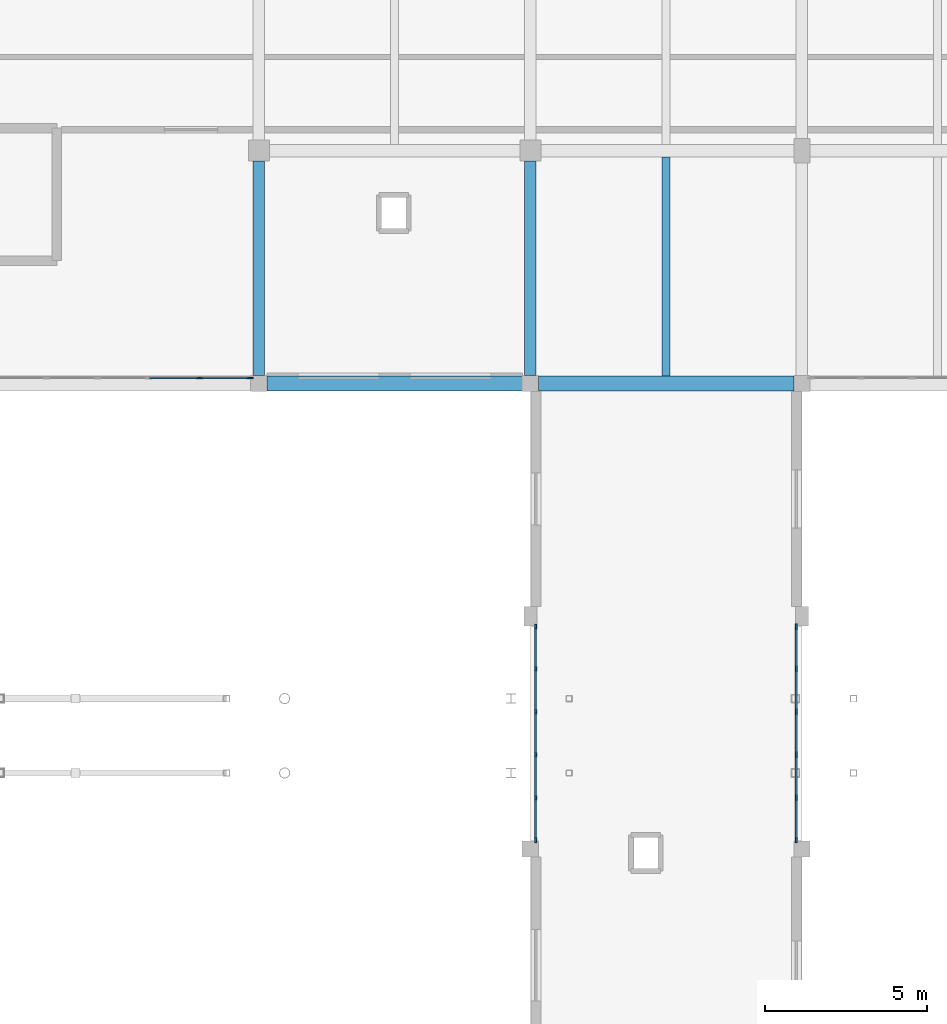
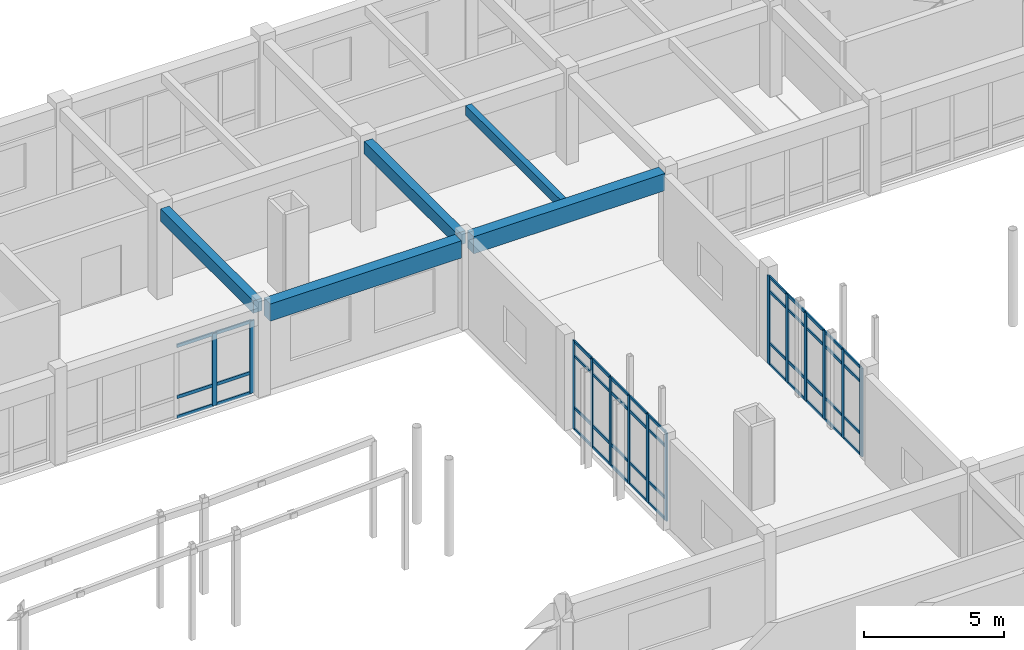
# One storey, part 47 of 89: 60 members, 5 beams, 3 elements without a shape of their own.
"""IFC4 building model written with IfcOpenShell, lengths in metres."""

from ifc_helpers import new_model, si_unit, direction, frame, origin, origin_2d, place, context, subcontext, project, spatial, rectangle, extrude, material, material_profile, profile_set, type_object, element, aggregate, save


model = new_model("IFC4")

# Units and contexts
model_context = context("Model", 3, precision=1e-05, world=origin(), true_north=direction((0.0, 1.0)))
body_context = subcontext(model_context, "Body", "Model", "MODEL_VIEW")
ifc_project = project(units=[si_unit("LENGTHUNIT", "METRE"), si_unit("AREAUNIT", "SQUARE_METRE"), si_unit("VOLUMEUNIT", "CUBIC_METRE"), si_unit("PLANEANGLEUNIT", "RADIAN"), si_unit("MASSUNIT", "GRAM", prefix="KILO")], contexts=[model_context])

# Site, building, storey
site_placement = place(None, origin())
site = spatial("IfcSite", under=ifc_project, at=site_placement, CompositionType="ELEMENT")
building_placement = place(site_placement, origin())
building = spatial("IfcBuilding", under=site, at=building_placement, Name="Malvenik Polytechnic", CompositionType="ELEMENT")
storey_placement = place(building_placement, frame((0.0, 0.0, 13.5)))
storey = spatial("IfcBuildingStorey", under=building, at=storey_placement, Name="L03", CompositionType="ELEMENT", Elevation=13.5)

# Curtain wall, members
ifc_material_1 = material(Name="Anodised aluminium 6060-T6", Category="aluminium")
curtain_wall_type_1 = type_object("IfcCurtainWallType", Name="ARC-CW-CW-04", PredefinedType="NOTDEFINED", material=ifc_material_1)
curtain_wall_1_placement = place(storey_placement, origin())
curtain_wall_1 = element("IfcCurtainWall", 1, at=curtain_wall_1_placement, inside=storey, type_object=curtain_wall_type_1, Name="Unitised Curtain Wall CW-04 L03 #167", PredefinedType="NOTDEFINED")
ifc_material_2 = material(Name="Anodised aluminium", Category="aluminium")
ifc_material_profile_1 = material_profile(ifc_material_2, rectangle(XDim=0.06005859375, YDim=0.159912109375, at=origin_2d()), Name="ALU MULLION 60x160")
ifc_profile_set_1 = profile_set([ifc_material_profile_1], Name="Anodised aluminium")
member_type_1 = type_object("IfcMemberType", Name="ARC-CWM-160", PredefinedType="MULLION", material=ifc_profile_set_1)
member_1_placement = place(storey_placement, frame((75.77001953125, 101.077880859375, 0.0), z_axis=(0.0, 0.0, 1.0), x_axis=(-1.0, 0.0, 0.0)))
member_1 = element("IfcMember", 2, at=member_1_placement, type_object=member_type_1, Name="CW-04 mullion 1", PredefinedType="MULLION", context=body_context, shape_type="SweptSolid", body=[
    extrude(rectangle(XDim=0.06005859375, YDim=0.159912109375, at=origin_2d()), origin(), (0.0, 0.0, 1.0), 3.860107421875),
])
member_2_placement = place(storey_placement, frame((75.77001953125, 102.37890625, 0.0), z_axis=(0.0, 0.0, 1.0), x_axis=(-1.0, 0.0, 0.0)))
member_2 = element("IfcMember", 3, at=member_2_placement, type_object=member_type_1, Name="CW-04 mullion 2", PredefinedType="MULLION", context=body_context, shape_type="SweptSolid", body=[
    extrude(rectangle(XDim=0.06005859375, YDim=0.159912109375, at=origin_2d()), origin(), (0.0, 0.0, 1.0), 3.860107421875),
])
member_3_placement = place(storey_placement, frame((75.77001953125, 103.709716796875, 0.0), z_axis=(0.0, 0.0, 1.0), x_axis=(-1.0, 0.0, 0.0)))
member_3 = element("IfcMember", 4, at=member_3_placement, type_object=member_type_1, Name="CW-04 mullion 3", PredefinedType="MULLION", context=body_context, shape_type="SweptSolid", body=[
    extrude(rectangle(XDim=0.06005859375, YDim=0.159912109375, at=origin_2d()), origin(), (0.0, 0.0, 1.0), 3.860107421875),
])
member_4_placement = place(storey_placement, frame((75.77001953125, 105.040283203125, 0.0), z_axis=(0.0, 0.0, 1.0), x_axis=(-1.0, 0.0, 0.0)))
member_4 = element("IfcMember", 5, at=member_4_placement, type_object=member_type_1, Name="CW-04 mullion 4", PredefinedType="MULLION", context=body_context, shape_type="SweptSolid", body=[
    extrude(rectangle(XDim=0.06005859375, YDim=0.159912109375, at=origin_2d()), origin(), (0.0, 0.0, 1.0), 3.860107421875),
])
member_5_placement = place(storey_placement, frame((75.77001953125, 106.37109375, 0.0), z_axis=(0.0, 0.0, 1.0), x_axis=(-1.0, 0.0, 0.0)))
member_5 = element("IfcMember", 6, at=member_5_placement, type_object=member_type_1, Name="CW-04 mullion 5", PredefinedType="MULLION", context=body_context, shape_type="SweptSolid", body=[
    extrude(rectangle(XDim=0.06005859375, YDim=0.159912109375, at=origin_2d()), origin(), (0.0, 0.0, 1.0), 3.860107421875),
])
member_6_placement = place(storey_placement, frame((75.77001953125, 107.672119140625, 0.0), z_axis=(0.0, 0.0, 1.0), x_axis=(-1.0, 0.0, 0.0)))
member_6 = element("IfcMember", 7, at=member_6_placement, type_object=member_type_1, Name="CW-04 mullion 6", PredefinedType="MULLION", context=body_context, shape_type="SweptSolid", body=[
    extrude(rectangle(XDim=0.06005859375, YDim=0.159912109375, at=origin_2d()), origin(), (0.0, 0.0, 1.0), 3.860107421875),
])

curtain_wall_2_placement = place(storey_placement, origin())
curtain_wall_2 = element("IfcCurtainWall", 8, at=curtain_wall_2_placement, inside=storey, type_object=curtain_wall_type_1, Name="Unitised Curtain Wall CW-04 L03 #187", PredefinedType="NOTDEFINED")
ifc_material_profile_2 = material_profile(ifc_material_2, rectangle(XDim=0.06005859375, YDim=0.179931640625, at=origin_2d()), Name="ALU MULLION 60x180")
ifc_profile_set_2 = profile_set([ifc_material_profile_2], Name="Anodised aluminium")
member_type_2 = type_object("IfcMemberType", Name="ARC-CWM-180", PredefinedType="MULLION", material=ifc_profile_set_2)
member_7_placement = place(storey_placement, frame((83.830078125, 107.672119140625, 0.0), z_axis=(0.0, 0.0, 1.0), x_axis=(1.0, 0.0, 0.0)))
member_7 = element("IfcMember", 9, at=member_7_placement, type_object=member_type_2, Name="CW-04 mullion 1", PredefinedType="MULLION", context=body_context, shape_type="SweptSolid", body=[
    extrude(rectangle(XDim=0.06005859375, YDim=0.179931640625, at=origin_2d()), origin(), (0.0, 0.0, 1.0), 3.860107421875),
])
member_8_placement = place(storey_placement, frame((83.830078125, 106.37109375, 0.0), z_axis=(0.0, 0.0, 1.0), x_axis=(1.0, 0.0, 0.0)))
member_8 = element("IfcMember", 10, at=member_8_placement, type_object=member_type_2, Name="CW-04 mullion 2", PredefinedType="MULLION", context=body_context, shape_type="SweptSolid", body=[
    extrude(rectangle(XDim=0.06005859375, YDim=0.179931640625, at=origin_2d()), origin(), (0.0, 0.0, 1.0), 3.860107421875),
])
member_9_placement = place(storey_placement, frame((83.830078125, 105.040283203125, 0.0), z_axis=(0.0, 0.0, 1.0), x_axis=(1.0, 0.0, 0.0)))
member_9 = element("IfcMember", 11, at=member_9_placement, type_object=member_type_2, Name="CW-04 mullion 3", PredefinedType="MULLION", context=body_context, shape_type="SweptSolid", body=[
    extrude(rectangle(XDim=0.06005859375, YDim=0.179931640625, at=origin_2d()), origin(), (0.0, 0.0, 1.0), 3.860107421875),
])
member_10_placement = place(storey_placement, frame((83.830078125, 103.709716796875, 0.0), z_axis=(0.0, 0.0, 1.0), x_axis=(1.0, 0.0, 0.0)))
member_10 = element("IfcMember", 12, at=member_10_placement, type_object=member_type_2, Name="CW-04 mullion 4", PredefinedType="MULLION", context=body_context, shape_type="SweptSolid", body=[
    extrude(rectangle(XDim=0.06005859375, YDim=0.179931640625, at=origin_2d()), origin(), (0.0, 0.0, 1.0), 3.860107421875),
])
member_11_placement = place(storey_placement, frame((83.830078125, 102.37890625, 0.0), z_axis=(0.0, 0.0, 1.0), x_axis=(1.0, 0.0, 0.0)))
member_11 = element("IfcMember", 13, at=member_11_placement, type_object=member_type_2, Name="CW-04 mullion 5", PredefinedType="MULLION", context=body_context, shape_type="SweptSolid", body=[
    extrude(rectangle(XDim=0.06005859375, YDim=0.179931640625, at=origin_2d()), origin(), (0.0, 0.0, 1.0), 3.860107421875),
])
member_12_placement = place(storey_placement, frame((83.830078125, 101.077880859375, 0.0), z_axis=(0.0, 0.0, 1.0), x_axis=(1.0, 0.0, 0.0)))
member_12 = element("IfcMember", 14, at=member_12_placement, type_object=member_type_2, Name="CW-04 mullion 6", PredefinedType="MULLION", context=body_context, shape_type="SweptSolid", body=[
    extrude(rectangle(XDim=0.06005859375, YDim=0.179931640625, at=origin_2d()), origin(), (0.0, 0.0, 1.0), 3.860107421875),
])

curtain_wall_type_2 = type_object("IfcCurtainWallType", Name="ARC-CW-CW-02", PredefinedType="NOTDEFINED", material=ifc_material_1)
curtain_wall_3_placement = place(storey_placement, origin())
curtain_wall_3 = element("IfcCurtainWall", 15, at=curtain_wall_3_placement, inside=storey, type_object=curtain_wall_type_2, Name="Unitised Curtain Wall CW-02 L03 #168", PredefinedType="NOTDEFINED")
ifc_material_profile_3 = material_profile(ifc_material_2, rectangle(XDim=0.06005859375, YDim=0.199951171875, at=origin_2d()), Name="ALU MULLION 60x200")
ifc_profile_set_3 = profile_set([ifc_material_profile_3], Name="Anodised aluminium")
member_type_3 = type_object("IfcMemberType", Name="ARC-CWM-200", PredefinedType="MULLION", material=ifc_profile_set_3)
member_13_placement = place(storey_placement, frame((66.922119140625, 115.3701171875, 0.0), z_axis=(0.0, 0.0, 1.0), x_axis=(0.0, -1.0, 0.0)))
member_13 = element("IfcMember", 16, at=member_13_placement, type_object=member_type_3, Name="CW-02 mullion 1", PredefinedType="MULLION", context=body_context, shape_type="SweptSolid", body=[
    extrude(rectangle(XDim=0.06005859375, YDim=0.199951171875, at=origin_2d()), origin(), (0.0, 0.0, 1.0), 3.159912109375),
])
member_14_placement = place(storey_placement, frame((65.37109375, 115.3701171875, 0.0), z_axis=(0.0, 0.0, 1.0), x_axis=(0.0, -1.0, 0.0)))
member_14 = element("IfcMember", 17, at=member_14_placement, type_object=member_type_3, Name="CW-02 mullion 2", PredefinedType="MULLION", context=body_context, shape_type="SweptSolid", body=[
    extrude(rectangle(XDim=0.06005859375, YDim=0.199951171875, at=origin_2d()), origin(), (0.0, 0.0, 1.0), 3.159912109375),
])

# Member
ifc_material_profile_4 = material_profile(ifc_material_2, rectangle(XDim=0.06005859375, YDim=0.1201171875, at=origin_2d()), Name="ALU TRANSOM 60x120")
ifc_profile_set_4 = profile_set([ifc_material_profile_4], Name="Anodised aluminium")
member_type_4 = type_object("IfcMemberType", Name="ARC-CWT-120", PredefinedType="USERDEFINED", material=ifc_profile_set_4)
member_15_placement = place(storey_placement, frame((75.77001953125, 101.10791015625, 0.030029296875), z_axis=(0.0, 1.0, 0.0), x_axis=(-1.0, 0.0, 0.0)))
member_15 = element("IfcMember", 18, at=member_15_placement, type_object=member_type_4, Name="CW-04 transom 1.1", ObjectType="TRANSOM", PredefinedType="USERDEFINED", context=body_context, shape_type="SweptSolid", body=[
    extrude(rectangle(XDim=0.06005859375, YDim=0.1201171875, at=origin_2d()), origin(), (0.0, 0.0, 1.0), 1.240966796875),
])

member_16_placement = place(storey_placement, frame((75.77001953125, 101.10791015625, 0.949951171875), z_axis=(0.0, 1.0, 0.0), x_axis=(-1.0, 0.0, 0.0)))
member_16 = element("IfcMember", 19, at=member_16_placement, type_object=member_type_4, Name="CW-04 transom 1.2", ObjectType="TRANSOM", PredefinedType="USERDEFINED", context=body_context, shape_type="SweptSolid", body=[
    extrude(rectangle(XDim=0.06005859375, YDim=0.1201171875, at=origin_2d()), origin(), (0.0, 0.0, 1.0), 1.240966796875),
])

member_17_placement = place(storey_placement, frame((75.77001953125, 101.10791015625, 3.2099609375), z_axis=(0.0, 1.0, 0.0), x_axis=(-1.0, 0.0, 0.0)))
member_17 = element("IfcMember", 20, at=member_17_placement, type_object=member_type_4, Name="CW-04 transom 1.3", ObjectType="TRANSOM", PredefinedType="USERDEFINED", context=body_context, shape_type="SweptSolid", body=[
    extrude(rectangle(XDim=0.06005859375, YDim=0.1201171875, at=origin_2d()), origin(), (0.0, 0.0, 1.0), 1.240966796875),
])

member_18_placement = place(storey_placement, frame((75.77001953125, 101.10791015625, 3.830078125), z_axis=(0.0, 1.0, 0.0), x_axis=(-1.0, 0.0, 0.0)))
member_18 = element("IfcMember", 21, at=member_18_placement, type_object=member_type_4, Name="CW-04 transom 1.4", ObjectType="TRANSOM", PredefinedType="USERDEFINED", context=body_context, shape_type="SweptSolid", body=[
    extrude(rectangle(XDim=0.06005859375, YDim=0.1201171875, at=origin_2d()), origin(), (0.0, 0.0, 1.0), 1.240966796875),
])

member_19_placement = place(storey_placement, frame((75.77001953125, 102.40869140625, 0.030029296875), z_axis=(0.0, 1.0, 0.0), x_axis=(-1.0, 0.0, 0.0)))
member_19 = element("IfcMember", 22, at=member_19_placement, type_object=member_type_4, Name="CW-04 transom 2.1", ObjectType="TRANSOM", PredefinedType="USERDEFINED", context=body_context, shape_type="SweptSolid", body=[
    extrude(rectangle(XDim=0.06005859375, YDim=0.1201171875, at=origin_2d()), origin(), (0.0, 0.0, 1.0), 1.27099609375),
])

member_20_placement = place(storey_placement, frame((75.77001953125, 102.40869140625, 0.949951171875), z_axis=(0.0, 1.0, 0.0), x_axis=(-1.0, 0.0, 0.0)))
member_20 = element("IfcMember", 23, at=member_20_placement, type_object=member_type_4, Name="CW-04 transom 2.2", ObjectType="TRANSOM", PredefinedType="USERDEFINED", context=body_context, shape_type="SweptSolid", body=[
    extrude(rectangle(XDim=0.06005859375, YDim=0.1201171875, at=origin_2d()), origin(), (0.0, 0.0, 1.0), 1.27099609375),
])

member_21_placement = place(storey_placement, frame((75.77001953125, 102.40869140625, 3.2099609375), z_axis=(0.0, 1.0, 0.0), x_axis=(-1.0, 0.0, 0.0)))
member_21 = element("IfcMember", 24, at=member_21_placement, type_object=member_type_4, Name="CW-04 transom 2.3", ObjectType="TRANSOM", PredefinedType="USERDEFINED", context=body_context, shape_type="SweptSolid", body=[
    extrude(rectangle(XDim=0.06005859375, YDim=0.1201171875, at=origin_2d()), origin(), (0.0, 0.0, 1.0), 1.27099609375),
])

member_22_placement = place(storey_placement, frame((75.77001953125, 102.40869140625, 3.830078125), z_axis=(0.0, 1.0, 0.0), x_axis=(-1.0, 0.0, 0.0)))
member_22 = element("IfcMember", 25, at=member_22_placement, type_object=member_type_4, Name="CW-04 transom 2.4", ObjectType="TRANSOM", PredefinedType="USERDEFINED", context=body_context, shape_type="SweptSolid", body=[
    extrude(rectangle(XDim=0.06005859375, YDim=0.1201171875, at=origin_2d()), origin(), (0.0, 0.0, 1.0), 1.27099609375),
])

member_23_placement = place(storey_placement, frame((75.77001953125, 103.739501953125, 0.030029296875), z_axis=(0.0, 1.0, 0.0), x_axis=(-1.0, 0.0, 0.0)))
member_23 = element("IfcMember", 26, at=member_23_placement, type_object=member_type_4, Name="CW-04 transom 3.1", ObjectType="TRANSOM", PredefinedType="USERDEFINED", context=body_context, shape_type="SweptSolid", body=[
    extrude(rectangle(XDim=0.06005859375, YDim=0.1201171875, at=origin_2d()), origin(), (0.0, 0.0, 1.0), 1.27099609375),
])

member_24_placement = place(storey_placement, frame((75.77001953125, 103.739501953125, 0.949951171875), z_axis=(0.0, 1.0, 0.0), x_axis=(-1.0, 0.0, 0.0)))
member_24 = element("IfcMember", 27, at=member_24_placement, type_object=member_type_4, Name="CW-04 transom 3.2", ObjectType="TRANSOM", PredefinedType="USERDEFINED", context=body_context, shape_type="SweptSolid", body=[
    extrude(rectangle(XDim=0.06005859375, YDim=0.1201171875, at=origin_2d()), origin(), (0.0, 0.0, 1.0), 1.27099609375),
])

member_25_placement = place(storey_placement, frame((75.77001953125, 103.739501953125, 3.2099609375), z_axis=(0.0, 1.0, 0.0), x_axis=(-1.0, 0.0, 0.0)))
member_25 = element("IfcMember", 28, at=member_25_placement, type_object=member_type_4, Name="CW-04 transom 3.3", ObjectType="TRANSOM", PredefinedType="USERDEFINED", context=body_context, shape_type="SweptSolid", body=[
    extrude(rectangle(XDim=0.06005859375, YDim=0.1201171875, at=origin_2d()), origin(), (0.0, 0.0, 1.0), 1.27099609375),
])

member_26_placement = place(storey_placement, frame((75.77001953125, 103.739501953125, 3.830078125), z_axis=(0.0, 1.0, 0.0), x_axis=(-1.0, 0.0, 0.0)))
member_26 = element("IfcMember", 29, at=member_26_placement, type_object=member_type_4, Name="CW-04 transom 3.4", ObjectType="TRANSOM", PredefinedType="USERDEFINED", context=body_context, shape_type="SweptSolid", body=[
    extrude(rectangle(XDim=0.06005859375, YDim=0.1201171875, at=origin_2d()), origin(), (0.0, 0.0, 1.0), 1.27099609375),
])

member_27_placement = place(storey_placement, frame((75.77001953125, 105.0703125, 0.030029296875), z_axis=(0.0, 1.0, 0.0), x_axis=(-1.0, 0.0, 0.0)))
member_27 = element("IfcMember", 30, at=member_27_placement, type_object=member_type_4, Name="CW-04 transom 4.1", ObjectType="TRANSOM", PredefinedType="USERDEFINED", context=body_context, shape_type="SweptSolid", body=[
    extrude(rectangle(XDim=0.06005859375, YDim=0.1201171875, at=origin_2d()), origin(), (0.0, 0.0, 1.0), 1.27099609375),
])

member_28_placement = place(storey_placement, frame((75.77001953125, 105.0703125, 0.949951171875), z_axis=(0.0, 1.0, 0.0), x_axis=(-1.0, 0.0, 0.0)))
member_28 = element("IfcMember", 31, at=member_28_placement, type_object=member_type_4, Name="CW-04 transom 4.2", ObjectType="TRANSOM", PredefinedType="USERDEFINED", context=body_context, shape_type="SweptSolid", body=[
    extrude(rectangle(XDim=0.06005859375, YDim=0.1201171875, at=origin_2d()), origin(), (0.0, 0.0, 1.0), 1.27099609375),
])

member_29_placement = place(storey_placement, frame((75.77001953125, 105.0703125, 3.2099609375), z_axis=(0.0, 1.0, 0.0), x_axis=(-1.0, 0.0, 0.0)))
member_29 = element("IfcMember", 32, at=member_29_placement, type_object=member_type_4, Name="CW-04 transom 4.3", ObjectType="TRANSOM", PredefinedType="USERDEFINED", context=body_context, shape_type="SweptSolid", body=[
    extrude(rectangle(XDim=0.06005859375, YDim=0.1201171875, at=origin_2d()), origin(), (0.0, 0.0, 1.0), 1.27099609375),
])

member_30_placement = place(storey_placement, frame((75.77001953125, 105.0703125, 3.830078125), z_axis=(0.0, 1.0, 0.0), x_axis=(-1.0, 0.0, 0.0)))
member_30 = element("IfcMember", 33, at=member_30_placement, type_object=member_type_4, Name="CW-04 transom 4.4", ObjectType="TRANSOM", PredefinedType="USERDEFINED", context=body_context, shape_type="SweptSolid", body=[
    extrude(rectangle(XDim=0.06005859375, YDim=0.1201171875, at=origin_2d()), origin(), (0.0, 0.0, 1.0), 1.27099609375),
])

member_31_placement = place(storey_placement, frame((75.77001953125, 106.401123046875, 0.030029296875), z_axis=(0.0, 1.0, 0.0), x_axis=(-1.0, 0.0, 0.0)))
member_31 = element("IfcMember", 34, at=member_31_placement, type_object=member_type_4, Name="CW-04 transom 5.1", ObjectType="TRANSOM", PredefinedType="USERDEFINED", context=body_context, shape_type="SweptSolid", body=[
    extrude(rectangle(XDim=0.06005859375, YDim=0.1201171875, at=origin_2d()), origin(), (0.0, 0.0, 1.0), 1.240966796875),
])

member_32_placement = place(storey_placement, frame((75.77001953125, 106.401123046875, 0.949951171875), z_axis=(0.0, 1.0, 0.0), x_axis=(-1.0, 0.0, 0.0)))
member_32 = element("IfcMember", 35, at=member_32_placement, type_object=member_type_4, Name="CW-04 transom 5.2", ObjectType="TRANSOM", PredefinedType="USERDEFINED", context=body_context, shape_type="SweptSolid", body=[
    extrude(rectangle(XDim=0.06005859375, YDim=0.1201171875, at=origin_2d()), origin(), (0.0, 0.0, 1.0), 1.240966796875),
])

member_33_placement = place(storey_placement, frame((75.77001953125, 106.401123046875, 3.2099609375), z_axis=(0.0, 1.0, 0.0), x_axis=(-1.0, 0.0, 0.0)))
member_33 = element("IfcMember", 36, at=member_33_placement, type_object=member_type_4, Name="CW-04 transom 5.3", ObjectType="TRANSOM", PredefinedType="USERDEFINED", context=body_context, shape_type="SweptSolid", body=[
    extrude(rectangle(XDim=0.06005859375, YDim=0.1201171875, at=origin_2d()), origin(), (0.0, 0.0, 1.0), 1.240966796875),
])

member_34_placement = place(storey_placement, frame((75.77001953125, 106.401123046875, 3.830078125), z_axis=(0.0, 1.0, 0.0), x_axis=(-1.0, 0.0, 0.0)))
member_34 = element("IfcMember", 37, at=member_34_placement, type_object=member_type_4, Name="CW-04 transom 5.4", ObjectType="TRANSOM", PredefinedType="USERDEFINED", context=body_context, shape_type="SweptSolid", body=[
    extrude(rectangle(XDim=0.06005859375, YDim=0.1201171875, at=origin_2d()), origin(), (0.0, 0.0, 1.0), 1.240966796875),
])

aggregate(curtain_wall_1, [member_1, member_2, member_3, member_4, member_5, member_6, member_15, member_16, member_17, member_18, member_19, member_20, member_21, member_22, member_23, member_24, member_25, member_26, member_27, member_28, member_29, member_30, member_31, member_32, member_33, member_34])

member_35_placement = place(storey_placement, frame((83.830078125, 107.64208984375, 0.030029296875), z_axis=(0.0, -1.0, 0.0), x_axis=(1.0, 0.0, 0.0)))
member_35 = element("IfcMember", 38, at=member_35_placement, type_object=member_type_4, Name="CW-04 transom 1.1", ObjectType="TRANSOM", PredefinedType="USERDEFINED", context=body_context, shape_type="SweptSolid", body=[
    extrude(rectangle(XDim=0.06005859375, YDim=0.1201171875, at=origin_2d()), origin(), (0.0, 0.0, 1.0), 1.240966796875),
])

member_36_placement = place(storey_placement, frame((83.830078125, 107.64208984375, 0.949951171875), z_axis=(0.0, -1.0, 0.0), x_axis=(1.0, 0.0, 0.0)))
member_36 = element("IfcMember", 39, at=member_36_placement, type_object=member_type_4, Name="CW-04 transom 1.2", ObjectType="TRANSOM", PredefinedType="USERDEFINED", context=body_context, shape_type="SweptSolid", body=[
    extrude(rectangle(XDim=0.06005859375, YDim=0.1201171875, at=origin_2d()), origin(), (0.0, 0.0, 1.0), 1.240966796875),
])

member_37_placement = place(storey_placement, frame((83.830078125, 107.64208984375, 3.2099609375), z_axis=(0.0, -1.0, 0.0), x_axis=(1.0, 0.0, 0.0)))
member_37 = element("IfcMember", 40, at=member_37_placement, type_object=member_type_4, Name="CW-04 transom 1.3", ObjectType="TRANSOM", PredefinedType="USERDEFINED", context=body_context, shape_type="SweptSolid", body=[
    extrude(rectangle(XDim=0.06005859375, YDim=0.1201171875, at=origin_2d()), origin(), (0.0, 0.0, 1.0), 1.240966796875),
])

member_38_placement = place(storey_placement, frame((83.830078125, 107.64208984375, 3.830078125), z_axis=(0.0, -1.0, 0.0), x_axis=(1.0, 0.0, 0.0)))
member_38 = element("IfcMember", 41, at=member_38_placement, type_object=member_type_4, Name="CW-04 transom 1.4", ObjectType="TRANSOM", PredefinedType="USERDEFINED", context=body_context, shape_type="SweptSolid", body=[
    extrude(rectangle(XDim=0.06005859375, YDim=0.1201171875, at=origin_2d()), origin(), (0.0, 0.0, 1.0), 1.240966796875),
])

member_39_placement = place(storey_placement, frame((83.830078125, 106.34130859375, 0.030029296875), z_axis=(0.0, -1.0, 0.0), x_axis=(1.0, 0.0, 0.0)))
member_39 = element("IfcMember", 42, at=member_39_placement, type_object=member_type_4, Name="CW-04 transom 2.1", ObjectType="TRANSOM", PredefinedType="USERDEFINED", context=body_context, shape_type="SweptSolid", body=[
    extrude(rectangle(XDim=0.06005859375, YDim=0.1201171875, at=origin_2d()), origin(), (0.0, 0.0, 1.0), 1.27099609375),
])

member_40_placement = place(storey_placement, frame((83.830078125, 106.34130859375, 0.949951171875), z_axis=(0.0, -1.0, 0.0), x_axis=(1.0, 0.0, 0.0)))
member_40 = element("IfcMember", 43, at=member_40_placement, type_object=member_type_4, Name="CW-04 transom 2.2", ObjectType="TRANSOM", PredefinedType="USERDEFINED", context=body_context, shape_type="SweptSolid", body=[
    extrude(rectangle(XDim=0.06005859375, YDim=0.1201171875, at=origin_2d()), origin(), (0.0, 0.0, 1.0), 1.27099609375),
])

member_41_placement = place(storey_placement, frame((83.830078125, 106.34130859375, 3.2099609375), z_axis=(0.0, -1.0, 0.0), x_axis=(1.0, 0.0, 0.0)))
member_41 = element("IfcMember", 44, at=member_41_placement, type_object=member_type_4, Name="CW-04 transom 2.3", ObjectType="TRANSOM", PredefinedType="USERDEFINED", context=body_context, shape_type="SweptSolid", body=[
    extrude(rectangle(XDim=0.06005859375, YDim=0.1201171875, at=origin_2d()), origin(), (0.0, 0.0, 1.0), 1.27099609375),
])

member_42_placement = place(storey_placement, frame((83.830078125, 106.34130859375, 3.830078125), z_axis=(0.0, -1.0, 0.0), x_axis=(1.0, 0.0, 0.0)))
member_42 = element("IfcMember", 45, at=member_42_placement, type_object=member_type_4, Name="CW-04 transom 2.4", ObjectType="TRANSOM", PredefinedType="USERDEFINED", context=body_context, shape_type="SweptSolid", body=[
    extrude(rectangle(XDim=0.06005859375, YDim=0.1201171875, at=origin_2d()), origin(), (0.0, 0.0, 1.0), 1.27099609375),
])

member_43_placement = place(storey_placement, frame((83.830078125, 105.010498046875, 0.030029296875), z_axis=(0.0, -1.0, 0.0), x_axis=(1.0, 0.0, 0.0)))
member_43 = element("IfcMember", 46, at=member_43_placement, type_object=member_type_4, Name="CW-04 transom 3.1", ObjectType="TRANSOM", PredefinedType="USERDEFINED", context=body_context, shape_type="SweptSolid", body=[
    extrude(rectangle(XDim=0.06005859375, YDim=0.1201171875, at=origin_2d()), origin(), (0.0, 0.0, 1.0), 1.27099609375),
])

member_44_placement = place(storey_placement, frame((83.830078125, 105.010498046875, 0.949951171875), z_axis=(0.0, -1.0, 0.0), x_axis=(1.0, 0.0, 0.0)))
member_44 = element("IfcMember", 47, at=member_44_placement, type_object=member_type_4, Name="CW-04 transom 3.2", ObjectType="TRANSOM", PredefinedType="USERDEFINED", context=body_context, shape_type="SweptSolid", body=[
    extrude(rectangle(XDim=0.06005859375, YDim=0.1201171875, at=origin_2d()), origin(), (0.0, 0.0, 1.0), 1.27099609375),
])

member_45_placement = place(storey_placement, frame((83.830078125, 105.010498046875, 3.2099609375), z_axis=(0.0, -1.0, 0.0), x_axis=(1.0, 0.0, 0.0)))
member_45 = element("IfcMember", 48, at=member_45_placement, type_object=member_type_4, Name="CW-04 transom 3.3", ObjectType="TRANSOM", PredefinedType="USERDEFINED", context=body_context, shape_type="SweptSolid", body=[
    extrude(rectangle(XDim=0.06005859375, YDim=0.1201171875, at=origin_2d()), origin(), (0.0, 0.0, 1.0), 1.27099609375),
])

member_46_placement = place(storey_placement, frame((83.830078125, 105.010498046875, 3.830078125), z_axis=(0.0, -1.0, 0.0), x_axis=(1.0, 0.0, 0.0)))
member_46 = element("IfcMember", 49, at=member_46_placement, type_object=member_type_4, Name="CW-04 transom 3.4", ObjectType="TRANSOM", PredefinedType="USERDEFINED", context=body_context, shape_type="SweptSolid", body=[
    extrude(rectangle(XDim=0.06005859375, YDim=0.1201171875, at=origin_2d()), origin(), (0.0, 0.0, 1.0), 1.27099609375),
])

member_47_placement = place(storey_placement, frame((83.830078125, 103.6796875, 0.030029296875), z_axis=(0.0, -1.0, 0.0), x_axis=(1.0, 0.0, 0.0)))
member_47 = element("IfcMember", 50, at=member_47_placement, type_object=member_type_4, Name="CW-04 transom 4.1", ObjectType="TRANSOM", PredefinedType="USERDEFINED", context=body_context, shape_type="SweptSolid", body=[
    extrude(rectangle(XDim=0.06005859375, YDim=0.1201171875, at=origin_2d()), origin(), (0.0, 0.0, 1.0), 1.27099609375),
])

member_48_placement = place(storey_placement, frame((83.830078125, 103.6796875, 0.949951171875), z_axis=(0.0, -1.0, 0.0), x_axis=(1.0, 0.0, 0.0)))
member_48 = element("IfcMember", 51, at=member_48_placement, type_object=member_type_4, Name="CW-04 transom 4.2", ObjectType="TRANSOM", PredefinedType="USERDEFINED", context=body_context, shape_type="SweptSolid", body=[
    extrude(rectangle(XDim=0.06005859375, YDim=0.1201171875, at=origin_2d()), origin(), (0.0, 0.0, 1.0), 1.27099609375),
])

member_49_placement = place(storey_placement, frame((83.830078125, 103.6796875, 3.2099609375), z_axis=(0.0, -1.0, 0.0), x_axis=(1.0, 0.0, 0.0)))
member_49 = element("IfcMember", 52, at=member_49_placement, type_object=member_type_4, Name="CW-04 transom 4.3", ObjectType="TRANSOM", PredefinedType="USERDEFINED", context=body_context, shape_type="SweptSolid", body=[
    extrude(rectangle(XDim=0.06005859375, YDim=0.1201171875, at=origin_2d()), origin(), (0.0, 0.0, 1.0), 1.27099609375),
])

member_50_placement = place(storey_placement, frame((83.830078125, 103.6796875, 3.830078125), z_axis=(0.0, -1.0, 0.0), x_axis=(1.0, 0.0, 0.0)))
member_50 = element("IfcMember", 53, at=member_50_placement, type_object=member_type_4, Name="CW-04 transom 4.4", ObjectType="TRANSOM", PredefinedType="USERDEFINED", context=body_context, shape_type="SweptSolid", body=[
    extrude(rectangle(XDim=0.06005859375, YDim=0.1201171875, at=origin_2d()), origin(), (0.0, 0.0, 1.0), 1.27099609375),
])

member_51_placement = place(storey_placement, frame((83.830078125, 102.348876953125, 0.030029296875), z_axis=(0.0, -1.0, 0.0), x_axis=(1.0, 0.0, 0.0)))
member_51 = element("IfcMember", 54, at=member_51_placement, type_object=member_type_4, Name="CW-04 transom 5.1", ObjectType="TRANSOM", PredefinedType="USERDEFINED", context=body_context, shape_type="SweptSolid", body=[
    extrude(rectangle(XDim=0.06005859375, YDim=0.1201171875, at=origin_2d()), origin(), (0.0, 0.0, 1.0), 1.240966796875),
])

member_52_placement = place(storey_placement, frame((83.830078125, 102.348876953125, 0.949951171875), z_axis=(0.0, -1.0, 0.0), x_axis=(1.0, 0.0, 0.0)))
member_52 = element("IfcMember", 55, at=member_52_placement, type_object=member_type_4, Name="CW-04 transom 5.2", ObjectType="TRANSOM", PredefinedType="USERDEFINED", context=body_context, shape_type="SweptSolid", body=[
    extrude(rectangle(XDim=0.06005859375, YDim=0.1201171875, at=origin_2d()), origin(), (0.0, 0.0, 1.0), 1.240966796875),
])

member_53_placement = place(storey_placement, frame((83.830078125, 102.348876953125, 3.2099609375), z_axis=(0.0, -1.0, 0.0), x_axis=(1.0, 0.0, 0.0)))
member_53 = element("IfcMember", 56, at=member_53_placement, type_object=member_type_4, Name="CW-04 transom 5.3", ObjectType="TRANSOM", PredefinedType="USERDEFINED", context=body_context, shape_type="SweptSolid", body=[
    extrude(rectangle(XDim=0.06005859375, YDim=0.1201171875, at=origin_2d()), origin(), (0.0, 0.0, 1.0), 1.240966796875),
])

member_54_placement = place(storey_placement, frame((83.830078125, 102.348876953125, 3.830078125), z_axis=(0.0, -1.0, 0.0), x_axis=(1.0, 0.0, 0.0)))
member_54 = element("IfcMember", 57, at=member_54_placement, type_object=member_type_4, Name="CW-04 transom 5.4", ObjectType="TRANSOM", PredefinedType="USERDEFINED", context=body_context, shape_type="SweptSolid", body=[
    extrude(rectangle(XDim=0.06005859375, YDim=0.1201171875, at=origin_2d()), origin(), (0.0, 0.0, 1.0), 1.240966796875),
])

aggregate(curtain_wall_2, [member_7, member_8, member_9, member_10, member_11, member_12, member_35, member_36, member_37, member_38, member_39, member_40, member_41, member_42, member_43, member_44, member_45, member_46, member_47, member_48, member_49, member_50, member_51, member_52, member_53, member_54])

ifc_material_profile_5 = material_profile(ifc_material_2, rectangle(XDim=0.06005859375, YDim=0.139892578125, at=origin_2d()), Name="ALU TRANSOM 60x140")
ifc_profile_set_5 = profile_set([ifc_material_profile_5], Name="Anodised aluminium")
member_type_5 = type_object("IfcMemberType", Name="ARC-CWT-140", PredefinedType="USERDEFINED", material=ifc_profile_set_5)
member_55_placement = place(storey_placement, frame((66.89208984375, 115.3701171875, 0.030029296875), z_axis=(-1.0, 0.0, 0.0), x_axis=(0.0, -1.0, 0.0)))
member_55 = element("IfcMember", 58, at=member_55_placement, type_object=member_type_5, Name="CW-02 transom 1.1", ObjectType="TRANSOM", PredefinedType="USERDEFINED", context=body_context, shape_type="SweptSolid", body=[
    extrude(rectangle(XDim=0.06005859375, YDim=0.139892578125, at=origin_2d()), origin(), (0.0, 0.0, 1.0), 1.490966796875),
])

member_56_placement = place(storey_placement, frame((66.89208984375, 115.3701171875, 0.89990234375), z_axis=(-1.0, 0.0, 0.0), x_axis=(0.0, -1.0, 0.0)))
member_56 = element("IfcMember", 59, at=member_56_placement, type_object=member_type_5, Name="CW-02 transom 1.2", ObjectType="TRANSOM", PredefinedType="USERDEFINED", context=body_context, shape_type="SweptSolid", body=[
    extrude(rectangle(XDim=0.06005859375, YDim=0.139892578125, at=origin_2d()), origin(), (0.0, 0.0, 1.0), 1.490966796875),
])

member_57_placement = place(storey_placement, frame((66.89208984375, 115.3701171875, 3.1298828125), z_axis=(-1.0, 0.0, 0.0), x_axis=(0.0, -1.0, 0.0)))
member_57 = element("IfcMember", 60, at=member_57_placement, type_object=member_type_5, Name="CW-02 transom 1.3", ObjectType="TRANSOM", PredefinedType="USERDEFINED", context=body_context, shape_type="SweptSolid", body=[
    extrude(rectangle(XDim=0.06005859375, YDim=0.139892578125, at=origin_2d()), origin(), (0.0, 0.0, 1.0), 1.490966796875),
])

member_58_placement = place(storey_placement, frame((65.34130859375, 115.3701171875, 0.030029296875), z_axis=(-1.0, 0.0, 0.0), x_axis=(0.0, -1.0, 0.0)))
member_58 = element("IfcMember", 61, at=member_58_placement, type_object=member_type_5, Name="CW-02 transom 2.1", ObjectType="TRANSOM", PredefinedType="USERDEFINED", context=body_context, shape_type="SweptSolid", body=[
    extrude(rectangle(XDim=0.06005859375, YDim=0.139892578125, at=origin_2d()), origin(), (0.0, 0.0, 1.0), 1.52099609375),
])

member_59_placement = place(storey_placement, frame((65.34130859375, 115.3701171875, 0.89990234375), z_axis=(-1.0, 0.0, 0.0), x_axis=(0.0, -1.0, 0.0)))
member_59 = element("IfcMember", 62, at=member_59_placement, type_object=member_type_5, Name="CW-02 transom 2.2", ObjectType="TRANSOM", PredefinedType="USERDEFINED", context=body_context, shape_type="SweptSolid", body=[
    extrude(rectangle(XDim=0.06005859375, YDim=0.139892578125, at=origin_2d()), origin(), (0.0, 0.0, 1.0), 1.52099609375),
])

member_60_placement = place(storey_placement, frame((65.34130859375, 115.3701171875, 3.1298828125), z_axis=(-1.0, 0.0, 0.0), x_axis=(0.0, -1.0, 0.0)))
member_60 = element("IfcMember", 63, at=member_60_placement, type_object=member_type_5, Name="CW-02 transom 2.3", ObjectType="TRANSOM", PredefinedType="USERDEFINED", context=body_context, shape_type="SweptSolid", body=[
    extrude(rectangle(XDim=0.06005859375, YDim=0.139892578125, at=origin_2d()), origin(), (0.0, 0.0, 1.0), 1.52099609375),
])

aggregate(curtain_wall_3, [member_13, member_14, member_55, member_56, member_57, member_58, member_59, member_60])

# Beams
ifc_material_3 = material(Name="Concrete C35/45", Category="concrete")
ifc_material_profile_6 = material_profile(ifc_material_3, rectangle(XDim=0.35009765625, YDim=0.550048828125, at=origin_2d()), Name="RC BM 350x550")
ifc_profile_set_6 = profile_set([ifc_material_profile_6], Name="Concrete C35/45")
beam_type_1 = type_object("IfcBeamType", Name="STR-BM-B-08", PredefinedType="BEAM", material=ifc_profile_set_6)
for number, where, z_axis, x_axis, name in (
    (64, (67.199951171875, 115.447998046875, 3.64501953125), (0.0, 1.0, 0.0), (-1.0, 0.0, 0.0), "Transverse Beam B-08 L03 #1754"),
    (65, (75.60009765625, 115.447998046875, 3.64501953125), (0.0, 1.0, 0.0), (-1.0, 0.0, 0.0), "Transverse Beam B-08 L03 #1756"),
):
    element("IfcBeam", number, at=place(storey_placement, frame(where, z_axis=z_axis, x_axis=x_axis)), inside=storey, type_object=beam_type_1, Name=name, PredefinedType="BEAM", context=body_context, shape_type="SweptSolid", body=[
        extrude(rectangle(XDim=0.35009765625, YDim=0.550048828125, at=origin_2d()), origin(), (0.0, 0.0, 1.0), 6.62890625),
    ])
ifc_material_4 = material(Name="Concrete C30/37", Category="concrete")
ifc_material_profile_7 = material_profile(ifc_material_4, rectangle(XDim=0.239990234375, YDim=0.419921875, at=origin_2d()), Name="RC JST 240x420")
ifc_profile_set_7 = profile_set([ifc_material_profile_7], Name="Concrete C30/37")
beam_type_2 = type_object("IfcBeamType", Name="STR-BM-J-03", PredefinedType="JOIST", material=ifc_profile_set_7)
beam_placement = place(storey_placement, frame((79.800048828125, 115.427978515625, 3.7099609375), z_axis=(0.0, 1.0, 0.0), x_axis=(-1.0, 0.0, 0.0)))
element("IfcBeam", 66, at=beam_placement, inside=storey, type_object=beam_type_2, Name="Secondary Rib Joist J-03 L03 #1807", PredefinedType="JOIST", context=body_context, shape_type="SweptSolid", body=[
    extrude(rectangle(XDim=0.239990234375, YDim=0.419921875, at=origin_2d()), origin(), (0.0, 0.0, 1.0), 6.77392578125),
])
ifc_material_5 = material(Name="Precast concrete C40/50", Category="concrete")
ifc_material_profile_8 = material_profile(ifc_material_5, rectangle(XDim=0.4599609375, YDim=0.75, at=origin_2d()), Name="PC SPN 460x750")
ifc_profile_set_8 = profile_set([ifc_material_profile_8], Name="Precast concrete C40/50")
beam_type_3 = type_object("IfcBeamType", Name="STR-BM-SP-02", PredefinedType="SPANDREL", material=ifc_profile_set_8)
for number, where, z_axis, x_axis, name in (
    (67, (67.447998046875, 115.199951171875, 3.544921875), (1.0, 0.0, 0.0), (0.0, 1.0, 0.0), "Primary Beam SP-02 L03 #1685"),
    (68, (75.847900390625, 115.199951171875, 3.544921875), (1.0, 0.0, 0.0), (0.0, 1.0, 0.0), "Primary Beam SP-02 L03 #1686"),
):
    element("IfcBeam", number, at=place(storey_placement, frame(where, z_axis=z_axis, x_axis=x_axis)), inside=storey, type_object=beam_type_3, Name=name, PredefinedType="SPANDREL", context=body_context, shape_type="SweptSolid", body=[
        extrude(rectangle(XDim=0.4599609375, YDim=0.75, at=origin_2d()), origin(), (0.0, 0.0, 1.0), 7.904052734375),
    ])

save(model, "model.ifc")
